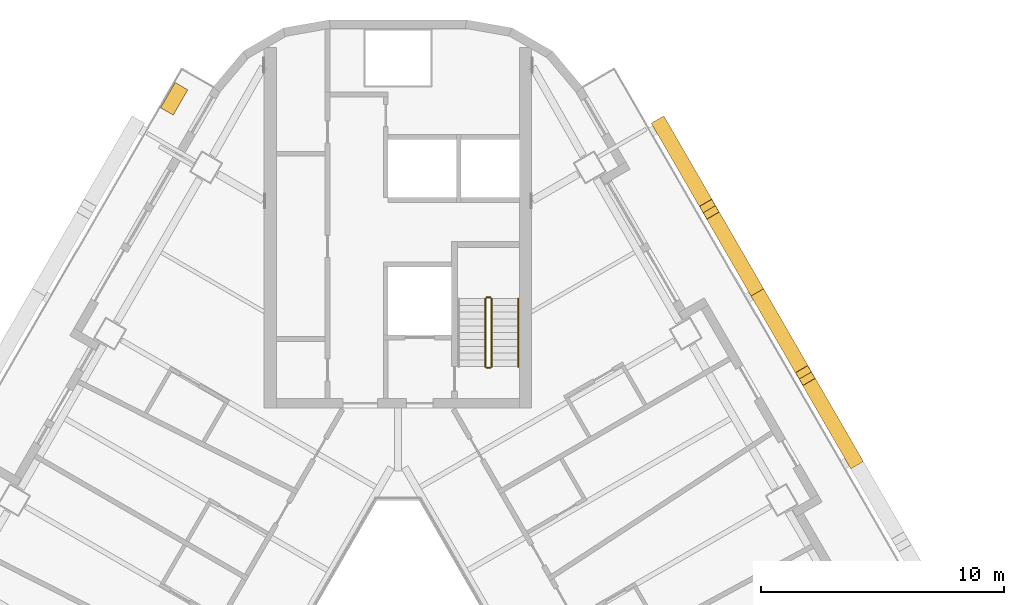
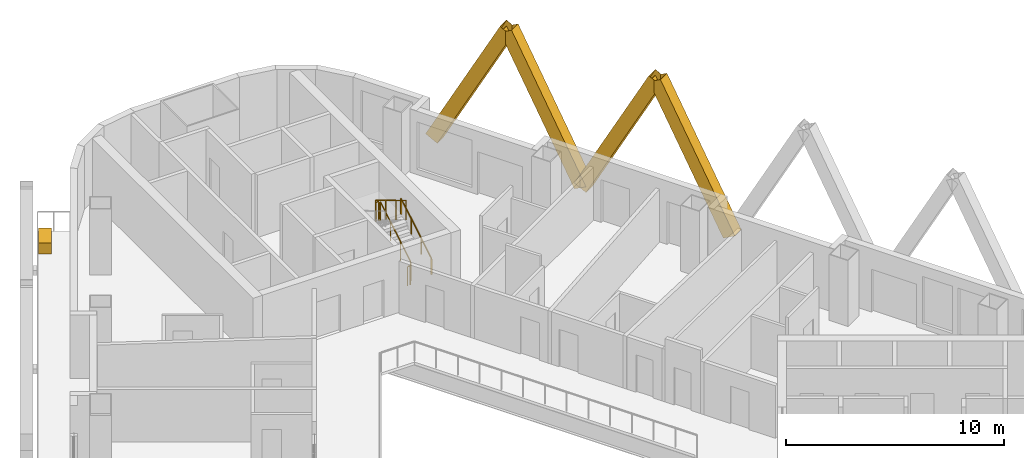
# One storey, part 17 of 17: 5 railings, 4 shading devices, 1 covering.
"""IFC4 building model written with IfcOpenShell, lengths in metres."""

from ifc_helpers import new_model, si_unit, direction, frame, origin, origin_2d, place, context, subcontext, project, spatial, rectangle, hollow_rectangle, circle, extrude, material, material_profile, profile_set, type_object, element, save


model = new_model("IFC4")

# Units and contexts
model_context = context("Model", 3, precision=1e-05, world=origin(), true_north=direction((0.0, 1.0)))
body_context = subcontext(model_context, "Body", "Model", "MODEL_VIEW")
ifc_project = project(units=[si_unit("LENGTHUNIT", "METRE"), si_unit("AREAUNIT", "SQUARE_METRE"), si_unit("VOLUMEUNIT", "CUBIC_METRE"), si_unit("PLANEANGLEUNIT", "RADIAN"), si_unit("MASSUNIT", "GRAM", prefix="KILO")], contexts=[model_context])

# Site, building, storey
site_placement = place(None, origin())
site = spatial("IfcSite", under=ifc_project, at=site_placement, CompositionType="ELEMENT")
building_placement = place(site_placement, origin())
building = spatial("IfcBuilding", under=site, at=building_placement, Name="Apuvela Tower Hotel", CompositionType="ELEMENT")
storey_placement = place(building_placement, frame((0.0, 0.0, 46.5)))
storey = spatial("IfcBuildingStorey", under=building, at=storey_placement, Name="L08", CompositionType="ELEMENT", Elevation=46.5)

# Railings
ifc_material_1 = material(Name="Steel S275 balustrade", Category="steel")
railing_type_1 = type_object("IfcRailingType", Name="COR-GUARD-1100", PredefinedType="GUARDRAIL", material=ifc_material_1)
railing_1_placement = place(storey_placement, frame((3.85009765625, 14.60009765625, 0.168212890625)))
element("IfcRailing", 1, at=railing_1_placement, inside=storey, type_object=railing_type_1, Name="L08 ST1 stair guard 1", PredefinedType="GUARDRAIL", context=body_context, shape_type="SweptSolid", body=[
    extrude(rectangle(XDim=0.048095703125, YDim=0.048095703125, at=origin_2d()), frame((0.0, 0.0, 1.076171875), z_axis=(0.0, 0.857222391501, 0.514946377315), x_axis=(-1.0, 0.0, 0.0)), (0.0, 0.0, 1.0), 3.26611328125),
    extrude(rectangle(XDim=0.0419921875, YDim=0.0419921875, at=origin_2d()), origin(), (0.0, 0.0, 1.0), 1.052001953125),
    extrude(rectangle(XDim=0.0419921875, YDim=0.0419921875, at=origin_2d()), frame((0.0, 0.933349609375, 0.560546875)), (0.0, 0.0, 1.0), 1.052001953125),
    extrude(rectangle(XDim=0.0419921875, YDim=0.0419921875, at=origin_2d()), frame((0.0, 1.866455078125, 1.121337890625)), (0.0, 0.0, 1.0), 1.052001953125),
    extrude(rectangle(XDim=0.0419921875, YDim=0.0419921875, at=origin_2d()), frame((0.0, 2.7998046875, 1.681884765625)), (0.0, 0.0, 1.0), 1.052001953125),
])
railing_2_placement = place(storey_placement, frame((3.800048828125, 17.449951171875, 1.85009765625)))
element("IfcRailing", 2, at=railing_2_placement, inside=storey, type_object=railing_type_1, Name="L08 ST1 stair guard 2", PredefinedType="GUARDRAIL", context=body_context, shape_type="SweptSolid", body=[
    extrude(rectangle(XDim=0.048095703125, YDim=0.048095703125, at=origin_2d()), frame((0.0, 0.0, 1.076171875), z_axis=(-1.0, 0.0, 0.0), x_axis=(0.0, -1.0, 0.0)), (0.0, 0.0, 1.0), 0.150146484375),
    extrude(rectangle(XDim=0.0419921875, YDim=0.0419921875, at=origin_2d()), origin(), (0.0, 0.0, 1.0), 1.052001953125),
    extrude(rectangle(XDim=0.0419921875, YDim=0.0419921875, at=origin_2d()), frame((-0.150146484375, 0.0, 0.0)), (0.0, 0.0, 1.0), 1.052001953125),
])
railing_3_placement = place(storey_placement, frame((3.60009765625, 17.39990234375, 2.01806640625)))
element("IfcRailing", 3, at=railing_3_placement, inside=storey, type_object=railing_type_1, Name="L08 ST1 stair guard 3", PredefinedType="GUARDRAIL", context=body_context, shape_type="SweptSolid", body=[
    extrude(rectangle(XDim=0.048095703125, YDim=0.048095703125, at=origin_2d()), frame((0.0, 0.0, 1.076171875), z_axis=(0.0, -0.857222391501, 0.514946377315), x_axis=(1.0, 0.0, 0.0)), (0.0, 0.0, 1.0), 3.26611328125),
    extrude(rectangle(XDim=0.0419921875, YDim=0.0419921875, at=origin_2d()), origin(), (0.0, 0.0, 1.0), 1.052001953125),
    extrude(rectangle(XDim=0.0419921875, YDim=0.0419921875, at=origin_2d()), frame((0.0, -0.933349609375, 0.560546875)), (0.0, 0.0, 1.0), 1.052001953125),
    extrude(rectangle(XDim=0.0419921875, YDim=0.0419921875, at=origin_2d()), frame((0.0, -1.866455078125, 1.121337890625)), (0.0, 0.0, 1.0), 1.052001953125),
    extrude(rectangle(XDim=0.0419921875, YDim=0.0419921875, at=origin_2d()), frame((0.0, -2.7998046875, 1.681884765625)), (0.0, 0.0, 1.0), 1.052001953125),
])
railing_4_placement = place(storey_placement, frame((3.800048828125, 14.550048828125, 0.0)))
element("IfcRailing", 4, at=railing_4_placement, inside=storey, type_object=railing_type_1, Name="L08 ST1 stair guard 4", PredefinedType="GUARDRAIL", context=body_context, shape_type="SweptSolid", body=[
    extrude(rectangle(XDim=0.048095703125, YDim=0.048095703125, at=origin_2d()), frame((0.0, 0.0, 1.076171875), z_axis=(-1.0, 0.0, 0.0), x_axis=(0.0, -1.0, 0.0)), (0.0, 0.0, 1.0), 0.150146484375),
    extrude(rectangle(XDim=0.0419921875, YDim=0.0419921875, at=origin_2d()), origin(), (0.0, 0.0, 1.0), 1.052001953125),
    extrude(rectangle(XDim=0.0419921875, YDim=0.0419921875, at=origin_2d()), frame((-0.150146484375, 0.0, 0.0)), (0.0, 0.0, 1.0), 1.052001953125),
])
ifc_material_2 = material(Name="Stainless steel 316 handrail", Category="steel")
railing_type_2 = type_object("IfcRailingType", Name="COR-HANDRAIL-900", PredefinedType="HANDRAIL", material=ifc_material_2)
railing_5_placement = place(storey_placement, frame((4.949951171875, 14.60009765625, 0.168212890625)))
element("IfcRailing", 5, at=railing_5_placement, inside=storey, type_object=railing_type_2, Name="L08 ST1 stair handrail 1", PredefinedType="HANDRAIL", context=body_context, shape_type="SweptSolid", body=[
    extrude(circle(Radius=0.02392578125, at=origin_2d()), frame((0.0, 0.0, 0.8759765625), z_axis=(0.0, 0.857222391501, 0.514946377315), x_axis=(-1.0, 0.0, 0.0)), (0.0, 0.0, 1.0), 3.26611328125),
    extrude(rectangle(XDim=0.0419921875, YDim=0.0419921875, at=origin_2d()), origin(), (0.0, 0.0, 1.0), 0.851806640625),
    extrude(rectangle(XDim=0.0419921875, YDim=0.0419921875, at=origin_2d()), frame((0.0, 0.933349609375, 0.560546875)), (0.0, 0.0, 1.0), 0.851806640625),
    extrude(rectangle(XDim=0.0419921875, YDim=0.0419921875, at=origin_2d()), frame((0.0, 1.866455078125, 1.121337890625)), (0.0, 0.0, 1.0), 0.851806640625),
    extrude(rectangle(XDim=0.0419921875, YDim=0.0419921875, at=origin_2d()), frame((0.0, 2.7998046875, 1.681884765625)), (0.0, 0.0, 1.0), 0.851806640625),
])

# Shading devices
ifc_material_3 = material(Name="Aluminium 6063-T6, black anodised", Category="aluminium")
ifc_material_profile = material_profile(ifc_material_3, hollow_rectangle(XDim=0.60009765625, YDim=0.699951171875, WallThickness=0.011962890625, at=origin_2d()), Name="AL BOX 700x600x12")
ifc_profile_set = profile_set([ifc_material_profile], Name="Aluminium 6063-T6, black anodised")
shading_device_type = type_object("IfcShadingDeviceType", Name="ENV-FIN-700x600", PredefinedType="USERDEFINED", material=ifc_profile_set)
for number, where, z_axis, x_axis, name in (
    (6, (18.732177734375, 10.81494140625, -0.10009765625), (-0.235455039791, 0.407811621453, 0.882185131163), (-0.866020906874, -0.500007788796, 0.0), "Lattice fin NE53"),
    (7, (14.781982421875, 17.656494140625, -0.10009765625), (0.235457834389, -0.407787356937, 0.88219560175), (0.866005453737, 0.500034552904, 0.0), "Lattice fin NE54"),
    (8, (14.781982421875, 17.656494140625, -0.10009765625), (-0.235427548578, 0.407814415956, 0.882191176281), (-0.866047669374, -0.499961432884, 0.0), "Lattice fin NE55"),
    (9, (10.83203125, 24.498291015625, -0.10009765625), (0.235455039791, -0.407811621453, 0.882185131163), (0.866020906874, 0.500007788796, 0.0), "Lattice fin NE56"),
):
    element("IfcShadingDevice", number, at=place(storey_placement, frame(where, z_axis=z_axis, x_axis=x_axis)), inside=storey, type_object=shading_device_type, Name=name, ObjectType="FIN", PredefinedType="USERDEFINED", context=body_context, shape_type="SweptSolid", body=[
        extrude(hollow_rectangle(XDim=0.60009765625, YDim=0.699951171875, WallThickness=0.011962890625, at=origin_2d()), origin(), (0.0, 0.0, 1.0), 8.388427734375),
    ])

# Covering
ifc_material_4 = material(Name="Planting substrate and soil, planted")
covering_type = type_object("IfcCoveringType", Name="ENV-PLANTER-1200x600", PredefinedType="USERDEFINED", material=ifc_material_4)
covering_placement = place(storey_placement, frame((-9.20361328125, 25.618896484375, 0.0), z_axis=(0.0, 0.0, 1.0), x_axis=(-0.5, -0.866025403784, 0.0)))
element("IfcCovering", 10, at=covering_placement, inside=storey, type_object=covering_type, Name="Planter NW3", ObjectType="PLANTER", PredefinedType="USERDEFINED", context=body_context, shape_type="SweptSolid", body=[
    extrude(rectangle(XDim=1.199951171875, YDim=0.60009765625, at=origin_2d()), origin(), (0.0, 0.0, 1.0), 0.60009765625),
])

save(model, "model.ifc")
